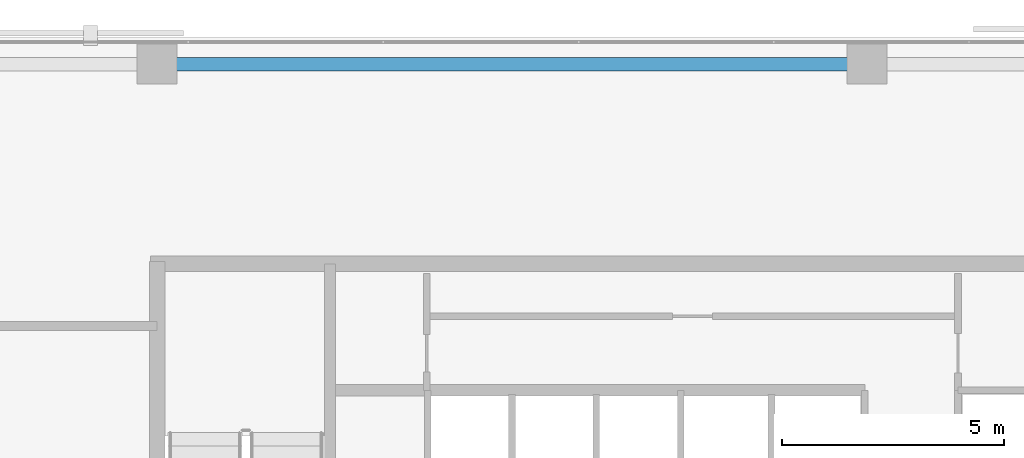
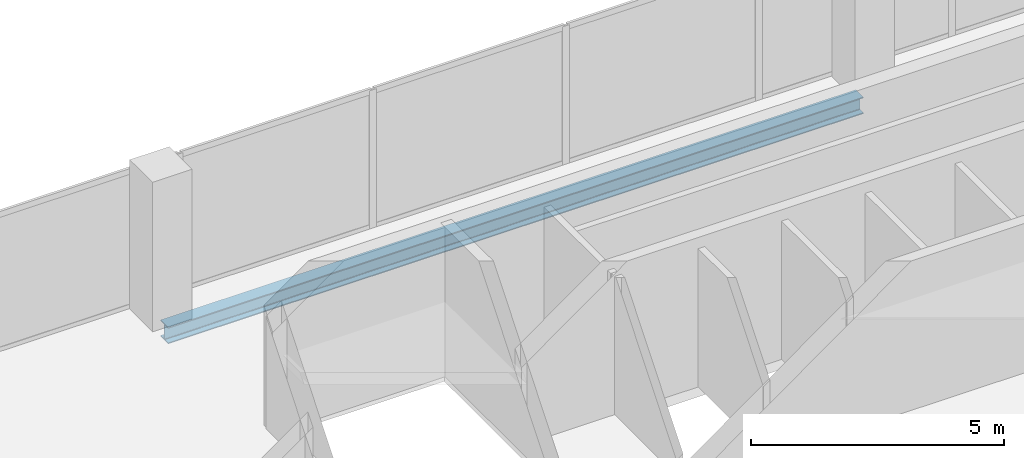
# One storey, part 21 of 34: 1 beam.
"""IFC4 building model written with IfcOpenShell, lengths in metres."""

from ifc_helpers import new_model, si_unit, direction, frame, origin, origin_2d, place, context, subcontext, project, spatial, i_section, extrude, material, material_profile, profile_set, type_object, element, save


model = new_model("IFC4")

# Units and contexts
model_context = context("Model", 3, precision=1e-05, world=origin(), true_north=direction((0.0, 1.0)))
body_context = subcontext(model_context, "Body", "Model", "MODEL_VIEW")
ifc_project = project(units=[si_unit("LENGTHUNIT", "METRE"), si_unit("AREAUNIT", "SQUARE_METRE"), si_unit("VOLUMEUNIT", "CUBIC_METRE"), si_unit("PLANEANGLEUNIT", "RADIAN"), si_unit("MASSUNIT", "GRAM", prefix="KILO")], contexts=[model_context])

# Site, building, storey
site_placement = place(None, origin())
site = spatial("IfcSite", under=ifc_project, at=site_placement, CompositionType="ELEMENT")
building_placement = place(site_placement, origin())
building = spatial("IfcBuilding", under=site, at=building_placement, Name="Catumbela Crestline Tower", CompositionType="ELEMENT")
storey_placement = place(building_placement, frame((0.0, 0.0, 97.2)))
storey = spatial("IfcBuildingStorey", under=building, at=storey_placement, Name="L24", CompositionType="ELEMENT", Elevation=97.2)

# Beam
ifc_material = material(Name="Structural steel S355J2", Category="steel")
ifc_material_profile = material_profile(ifc_material, i_section(OverallWidth=0.3, OverallDepth=0.4, WebThickness=0.0135, FlangeThickness=0.024, FilletRadius=0.027, at=origin_2d()), Name="HEB 400")
ifc_profile_set = profile_set([ifc_material_profile], Name="Structural steel S355J2")
beam_type = type_object("IfcBeamType", Name="BS-HEB400", PredefinedType="SPANDREL", material=ifc_profile_set)
beam_placement = place(storey_placement, frame((16.08, 47.4, -0.46), z_axis=(1.0, 0.0, 0.0), x_axis=(0.0, 1.0, 0.0)))
element("IfcBeam", 1, at=beam_placement, inside=storey, type_object=beam_type, Name="L24 Spandrel SP-L24-NF19", PredefinedType="SPANDREL", context=body_context, shape_type="SweptSolid", body=[
    extrude(i_section(OverallWidth=0.3, OverallDepth=0.4, WebThickness=0.0135, FlangeThickness=0.024, FilletRadius=0.027, at=origin_2d()), origin(), (0.0, 0.0, 1.0), 15.84),
])

save(model, "model.ifc")
